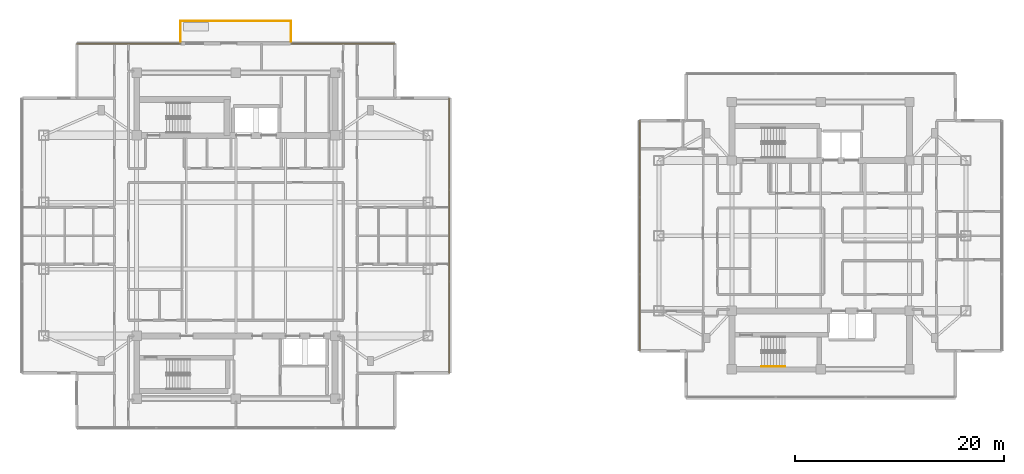
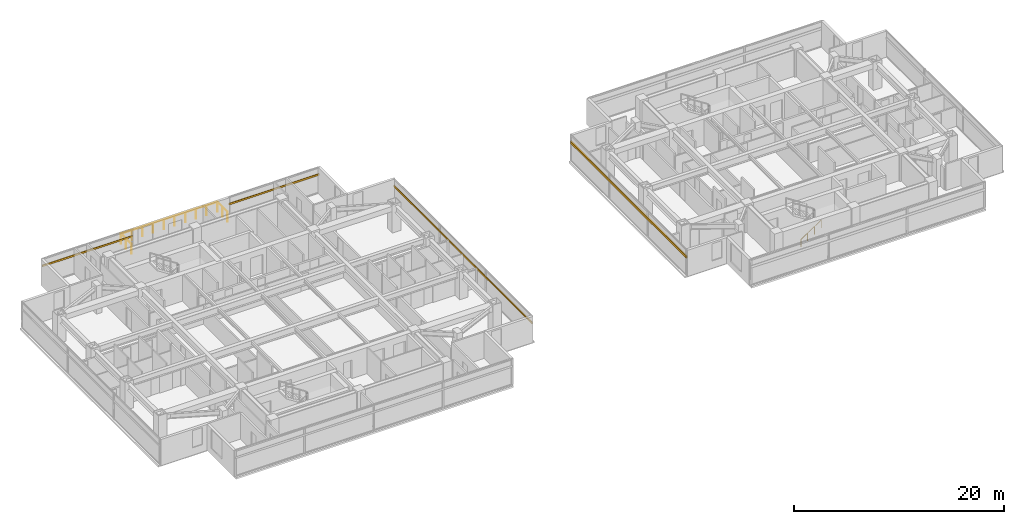
# One storey, part 21 of 24: 4 railings, 4 shading devices.
"""IFC4 building model written with IfcOpenShell, lengths in metres."""

from ifc_helpers import new_model, si_unit, direction, frame, origin, origin_2d, place, context, subcontext, project, spatial, rectangle, circle, extrude, material, material_profile, profile_set, type_object, element, save


model = new_model("IFC4")

# Units and contexts
model_context = context("Model", 3, precision=1e-05, world=origin(), true_north=direction((0.0, 1.0)))
body_context = subcontext(model_context, "Body", "Model", "MODEL_VIEW")
ifc_project = project(units=[si_unit("LENGTHUNIT", "METRE"), si_unit("AREAUNIT", "SQUARE_METRE"), si_unit("VOLUMEUNIT", "CUBIC_METRE"), si_unit("PLANEANGLEUNIT", "RADIAN"), si_unit("MASSUNIT", "GRAM", prefix="KILO")], contexts=[model_context])

# Site, building, storey
site_placement = place(None, origin())
site = spatial("IfcSite", under=ifc_project, at=site_placement, CompositionType="ELEMENT")
building_placement = place(site_placement, origin())
building = spatial("IfcBuilding", under=site, at=building_placement, Name="Mirazonda Arch Towers", CompositionType="ELEMENT")
storey_placement = place(building_placement, frame((0.0, 0.0, 196.64990234375)))
storey = spatial("IfcBuildingStorey", under=building, at=storey_placement, Name="L56", CompositionType="ELEMENT", Elevation=196.64990234375)

# Shading devices
ifc_material_1 = material(Name="Kiln-Fired Architectural Terracotta", Category="masonry")
ifc_material_profile_1 = material_profile(ifc_material_1, rectangle(XDim=0.10009765625, YDim=0.199951171875, at=origin_2d()), Name="TERRA-BAG-100x200")
ifc_profile_set_1 = profile_set([ifc_material_profile_1], Name="Kiln-Fired Architectural Terracotta")
shading_device_type_1 = type_object("IfcShadingDeviceType", Name="BAGUETTE-2", PredefinedType="USERDEFINED", material=ifc_profile_set_1)
shading_device_1_placement = place(storey_placement, frame((40.949951171875, 14.8330078125, 2.181640625), z_axis=(0.0, 1.0, 0.0), x_axis=(-1.0, 0.0, 0.0)))
element("IfcShadingDevice", 1, at=shading_device_1_placement, inside=storey, type_object=shading_device_type_1, Name="L56 Glazed Terracotta Sun-Screen Baguette CW-L56-T1-E", ObjectType="BAGUETTE", PredefinedType="USERDEFINED", context=body_context, shape_type="SweptSolid", body=[
    extrude(rectangle(XDim=0.10009765625, YDim=0.199951171875, at=origin_2d()), origin(), (0.0, 0.0, 1.0), 26.333984375),
])
for number, where, z_axis, x_axis, name in (
    (2, (5.264892578125, 46.382080078125, 2.181640625), (1.0, 0.0, 0.0), (0.0, 1.0, 0.0), "L56 Glazed Terracotta Sun-Screen Baguette CW-L56-T1-NA"),
    (3, (25.7900390625, 46.382080078125, 2.181640625), (1.0, 0.0, 0.0), (0.0, 1.0, 0.0), "L56 Glazed Terracotta Sun-Screen Baguette CW-L56-T1-NB"),
):
    element("IfcShadingDevice", number, at=place(storey_placement, frame(where, z_axis=z_axis, x_axis=x_axis)), inside=storey, type_object=shading_device_type_1, Name=name, ObjectType="BAGUETTE", PredefinedType="USERDEFINED", context=body_context, shape_type="SweptSolid", body=[
        extrude(rectangle(XDim=0.10009765625, YDim=0.199951171875, at=origin_2d()), origin(), (0.0, 0.0, 1.0), 9.945068359375),
    ])
ifc_material_profile_2 = material_profile(ifc_material_1, rectangle(XDim=0.139892578125, YDim=0.280029296875, at=origin_2d()), Name="TERRA-BAG-140x280")
ifc_profile_set_2 = profile_set([ifc_material_profile_2], Name="Kiln-Fired Architectural Terracotta")
shading_device_type_2 = type_object("IfcShadingDeviceType", Name="BAGUETTE-3", PredefinedType="USERDEFINED", material=ifc_profile_set_2)
shading_device_2_placement = place(storey_placement, frame((59.17041015625, 39.031982421875, 2.181640625), z_axis=(0.0, -1.0, 0.0), x_axis=(1.0, 0.0, 0.0)))
element("IfcShadingDevice", 4, at=shading_device_2_placement, inside=storey, type_object=shading_device_type_2, Name="L56 Glazed Terracotta Sun-Screen Baguette CW-L56-T2-W", ObjectType="BAGUETTE", PredefinedType="USERDEFINED", context=body_context, shape_type="SweptSolid", body=[
    extrude(rectangle(XDim=0.139892578125, YDim=0.280029296875, at=origin_2d()), origin(), (0.0, 0.0, 1.0), 22.06396484375),
])

# Railings
ifc_material_2 = material(Name="Architectural Brushed Steel S355", Category="steel")
railing_type_1 = type_object("IfcRailingType", Name="GUARD-EXT-1150", PredefinedType="GUARDRAIL", material=ifc_material_2)
railing_1_placement = place(storey_placement, frame((15.199951171875, 46.592041015625, 0.0)))
element("IfcRailing", 5, at=railing_1_placement, inside=storey, type_object=railing_type_1, Name="L56 T1 Sky-Terrace Guard 01", PredefinedType="GUARDRAIL", context=body_context, shape_type="SweptSolid", body=[
    extrude(circle(Radius=0.02392578125, at=origin_2d()), frame((0.0, 0.0, 1.1259765625), z_axis=(0.0, 1.0, 0.0), x_axis=(-1.0, 0.0, 0.0)), (0.0, 0.0, 1.0), 1.9599609375),
    extrude(circle(Radius=0.02099609375, at=origin_2d()), origin(), (0.0, 0.0, 1.0), 1.101806640625),
    extrude(circle(Radius=0.02099609375, at=origin_2d()), frame((0.0, 0.97998046875, 0.0)), (0.0, 0.0, 1.0), 1.101806640625),
    extrude(circle(Radius=0.02099609375, at=origin_2d()), frame((0.0, 1.9599609375, 0.0)), (0.0, 0.0, 1.0), 1.101806640625),
])
railing_2_placement = place(storey_placement, frame((15.199951171875, 48.552001953125, 0.0)))
element("IfcRailing", 6, at=railing_2_placement, inside=storey, type_object=railing_type_1, Name="L56 T1 Sky-Terrace Guard 02", PredefinedType="GUARDRAIL", context=body_context, shape_type="SweptSolid", body=[
    extrude(circle(Radius=0.02392578125, at=origin_2d()), frame((0.0, 0.0, 1.1259765625), z_axis=(1.0, 0.0, 0.0), x_axis=(0.0, 1.0, 0.0)), (0.0, 0.0, 1.0), 10.60009765625),
    extrude(circle(Radius=0.02099609375, at=origin_2d()), origin(), (0.0, 0.0, 1.0), 1.101806640625),
    extrude(circle(Radius=0.02099609375, at=origin_2d()), frame((1.177734375, 0.0, 0.0)), (0.0, 0.0, 1.0), 1.101806640625),
    extrude(circle(Radius=0.02099609375, at=origin_2d()), frame((2.35546875, 0.0, 0.0)), (0.0, 0.0, 1.0), 1.101806640625),
    extrude(circle(Radius=0.02099609375, at=origin_2d()), frame((3.533447265625, 0.0, 0.0)), (0.0, 0.0, 1.0), 1.101806640625),
    extrude(circle(Radius=0.02099609375, at=origin_2d()), frame((4.711181640625, 0.0, 0.0)), (0.0, 0.0, 1.0), 1.101806640625),
    extrude(circle(Radius=0.02099609375, at=origin_2d()), frame((5.888916015625, 0.0, 0.0)), (0.0, 0.0, 1.0), 1.101806640625),
    extrude(circle(Radius=0.02099609375, at=origin_2d()), frame((7.066650390625, 0.0, 0.0)), (0.0, 0.0, 1.0), 1.101806640625),
    extrude(circle(Radius=0.02099609375, at=origin_2d()), frame((8.24462890625, 0.0, 0.0)), (0.0, 0.0, 1.0), 1.101806640625),
    extrude(circle(Radius=0.02099609375, at=origin_2d()), frame((9.42236328125, 0.0, 0.0)), (0.0, 0.0, 1.0), 1.101806640625),
    extrude(circle(Radius=0.02099609375, at=origin_2d()), frame((10.60009765625, 0.0, 0.0)), (0.0, 0.0, 1.0), 1.101806640625),
])
railing_3_placement = place(storey_placement, frame((25.800048828125, 48.552001953125, 0.0)))
element("IfcRailing", 7, at=railing_3_placement, inside=storey, type_object=railing_type_1, Name="L56 T1 Sky-Terrace Guard 03", PredefinedType="GUARDRAIL", context=body_context, shape_type="SweptSolid", body=[
    extrude(circle(Radius=0.02392578125, at=origin_2d()), frame((0.0, 0.0, 1.1259765625), z_axis=(0.0, -1.0, 0.0), x_axis=(1.0, 0.0, 0.0)), (0.0, 0.0, 1.0), 1.9599609375),
    extrude(circle(Radius=0.02099609375, at=origin_2d()), origin(), (0.0, 0.0, 1.0), 1.101806640625),
    extrude(circle(Radius=0.02099609375, at=origin_2d()), frame((0.0, -0.97998046875, 0.0)), (0.0, 0.0, 1.0), 1.101806640625),
    extrude(circle(Radius=0.02099609375, at=origin_2d()), frame((0.0, -1.9599609375, 0.0)), (0.0, 0.0, 1.0), 1.101806640625),
])
railing_type_2 = type_object("IfcRailingType", Name="HANDRAIL-915", PredefinedType="HANDRAIL", material=ifc_material_2)
railing_4_placement = place(storey_placement, frame((70.85009765625, 15.469970703125, 0.1806640625)))
element("IfcRailing", 8, at=railing_4_placement, inside=storey, type_object=railing_type_2, Name="L56 ST-T2S stair handrail 1", PredefinedType="HANDRAIL", context=body_context, shape_type="SweptSolid", body=[
    extrude(circle(Radius=0.02392578125, at=origin_2d()), frame((0.0, 0.0, 0.8759765625), z_axis=(0.840436612492, 0.0, 0.541909863706), x_axis=(0.0, 1.0, 0.0)), (0.0, 0.0, 1.0), 2.665283203125),
    extrude(circle(Radius=0.02099609375, at=origin_2d()), origin(), (0.0, 0.0, 1.0), 0.851806640625),
    extrude(circle(Radius=0.02099609375, at=origin_2d()), frame((0.74658203125, 0.0, 0.4814453125)), (0.0, 0.0, 1.0), 0.851806640625),
    extrude(circle(Radius=0.02099609375, at=origin_2d()), frame((1.493408203125, 0.0, 0.962890625)), (0.0, 0.0, 1.0), 0.851806640625),
    extrude(circle(Radius=0.02099609375, at=origin_2d()), frame((2.239990234375, 0.0, 1.4443359375)), (0.0, 0.0, 1.0), 0.851806640625),
])

save(model, "model.ifc")
